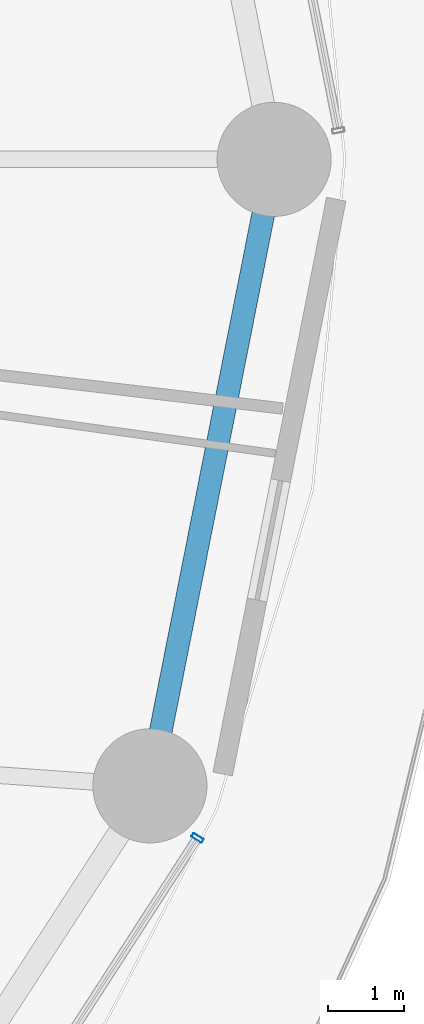
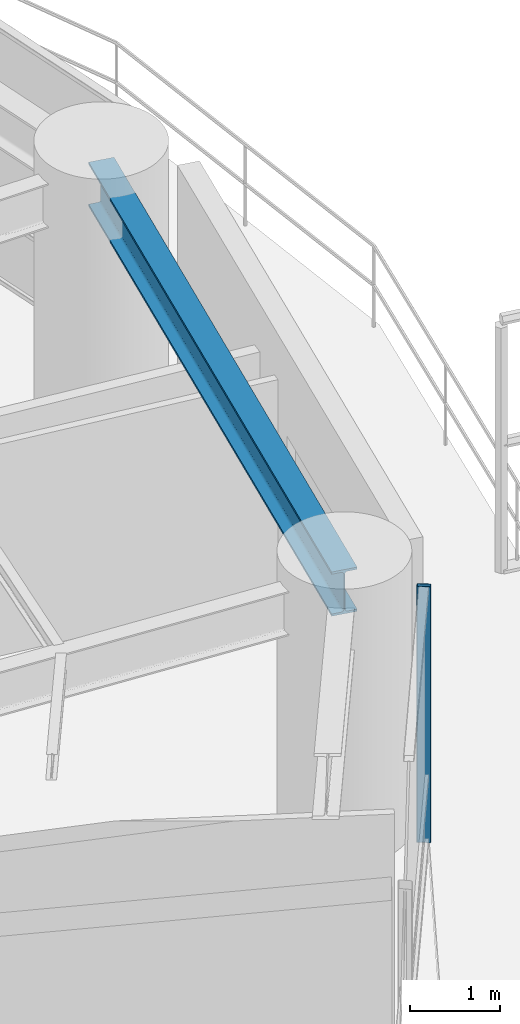
# One storey, part 12 of 33: 1 beam, 1 member, 1 element without a shape of its own.
"""IFC4 building model written with IfcOpenShell, lengths in metres."""

import ifcopenshell
import ifcopenshell.guid

model = None  # the IFC model being written
_history = None  # IfcOwnerHistory: only IFC2X3 demands one
_inside = {}  # id of a spatial element -> (the spatial element, [elements in it])
_under = {}  # id of a project, library or spatial element -> (it, [spatial elements below it])
_declared = {}  # id of a project -> (the project, [libraries it declares])
_typed = {}  # id of a type object -> (the type object, [elements of that type])
_made_of = {}  # id of a material, layer set ... -> (it, [elements and type objects made of it])


def new_model(schema):
    """Start an empty IFC model of exactly this schema.

    Asked for "IFC4X3", IfcOpenShell would pick the latest addendum, in which some entities
    have other attributes; the version numbers below select the first issue.
    IFC2X3 requires an IfcOwnerHistory on every rooted entity: one is made here for all.
    """
    global model, _history
    if schema == "IFC4X3":
        model = ifcopenshell.file(schema_version=(4, 3, 0, 0))
    else:
        model = ifcopenshell.file(schema=schema)
    _inside.clear()
    _under.clear()
    _declared.clear()
    _typed.clear()
    _made_of.clear()
    _history = None
    if model.schema == "IFC2X3":
        org = make("IfcOrganization", Name="unknown")
        user = make(
            "IfcPersonAndOrganization",
            ThePerson=make("IfcPerson", FamilyName="unknown"),
            TheOrganization=org,
        )
        app = make(
            "IfcApplication",
            ApplicationDeveloper=org,
            Version="unknown",
            ApplicationFullName="unknown",
            ApplicationIdentifier="unknown",
        )
        _history = make(
            "IfcOwnerHistory",
            OwningUser=user,
            OwningApplication=app,
            ChangeAction="ADDED",
            CreationDate=0,
        )
    return model


def make(cls, **values):
    """One entity of the class cls with the attributes given. An attribute that is None is left unset."""
    return model.create_entity(
        cls, **{name: value for name, value in values.items() if value is not None}
    )


def rooted(cls, **values):
    """An entity with a GlobalId (a new one), such as an element, a storey or a relation."""
    return make(cls, GlobalId=ifcopenshell.guid.new(), OwnerHistory=_history, **values)


def si_unit(unit_type, name, prefix=None):
    """IfcSIUnit, for example si_unit("LENGTHUNIT", "METRE", prefix="MILLI")."""
    return make("IfcSIUnit", UnitType=unit_type, Prefix=prefix, Name=name)


def assignment(units):
    """IfcUnitAssignment: the units of a project."""
    return None if units is None else make("IfcUnitAssignment", Units=units)


def point(xyz):
    """IfcCartesianPoint."""
    return None if xyz is None else make("IfcCartesianPoint", Coordinates=xyz)


def direction(xyz):
    """IfcDirection."""
    return None if xyz is None else make("IfcDirection", DirectionRatios=xyz)


def frame(location, z_axis=None, x_axis=None):
    """IfcAxis2Placement3D, a coordinate frame: its origin and axes. An axis left out is left unset."""
    return make(
        "IfcAxis2Placement3D",
        Location=point(location),
        Axis=direction(z_axis),
        RefDirection=direction(x_axis),
    )


def frame_2d(location, x_axis=None):
    """IfcAxis2Placement2D, a coordinate frame in the plane: its origin and x axis."""
    return make(
        "IfcAxis2Placement2D", Location=point(location), RefDirection=direction(x_axis)
    )


def origin():
    """The frame at (0, 0, 0) with its axes left unset."""
    return frame((0.0, 0.0, 0.0))


def origin_2d():
    """The frame at (0, 0) in the plane with its x axis left unset."""
    return frame_2d((0.0, 0.0))


def place(relative_to, where):
    """IfcLocalPlacement: puts the frame where relative to a parent placement (None: the world)."""
    return make(
        "IfcLocalPlacement", PlacementRelTo=relative_to, RelativePlacement=where
    )


def context(
    kind, dimensions, precision=None, world=None, true_north=None, identifier=None
):
    """IfcGeometricRepresentationContext, for example the 3D "Model" context."""
    return make(
        "IfcGeometricRepresentationContext",
        ContextIdentifier=identifier,
        ContextType=kind,
        CoordinateSpaceDimension=dimensions,
        Precision=precision,
        WorldCoordinateSystem=world,
        TrueNorth=true_north,
    )


def subcontext(parent, identifier, kind, view, scale=None):
    """IfcGeometricRepresentationSubContext, for example "Body" below "Model"."""
    return make(
        "IfcGeometricRepresentationSubContext",
        ContextIdentifier=identifier,
        ContextType=kind,
        ParentContext=parent,
        TargetScale=scale,
        TargetView=view,
    )


def project(units=None, contexts=None):
    """IfcProject with its units and contexts."""
    return rooted(
        "IfcProject",
        Name="project",
        RepresentationContexts=contexts,
        UnitsInContext=assignment(units),
    )


def spatial(cls, under=None, at=None, **own):
    """A site, building, storey or space (cls), placed at a placement, below another one or the project."""
    s = rooted(cls, ObjectPlacement=at, **own)
    if under is not None:
        _under.setdefault(under.id(), (under, []))[1].append(s)
    return s


def profile(cls, at=None, kind="AREA", **sizes):
    """A parametric profile (cls). Its sizes go by their IFC names, for example OverallWidth=200.0."""
    return make(cls, ProfileType=kind, Position=at, **sizes)


def hollow_rectangle(**sizes):
    """IfcRectangleHollowProfileDef."""
    return profile("IfcRectangleHollowProfileDef", **sizes)


def i_section(**sizes):
    """IfcIShapeProfileDef."""
    return profile("IfcIShapeProfileDef", **sizes)


def extrude(swept, where, along, depth):
    """IfcExtrudedAreaSolid: the profile swept, set in the frame where, extruded along a direction by depth."""
    return make(
        "IfcExtrudedAreaSolid",
        SweptArea=swept,
        Position=where,
        ExtrudedDirection=direction(along),
        Depth=depth,
    )


def shape(context_of_items, identifier, shape_type, items):
    """IfcShapeRepresentation: the items that make up one representation, for example the "Body"."""
    return make(
        "IfcShapeRepresentation",
        ContextOfItems=context_of_items,
        RepresentationIdentifier=identifier,
        RepresentationType=shape_type,
        Items=items,
    )


def material(Name=None, Category=None):
    """IfcMaterial."""
    return make("IfcMaterial", Name=Name, Category=Category)


def layer(
    of_material, thickness, ventilated=None, Name=None, Category=None, Priority=None
):
    """IfcMaterialLayer: one layer of a wall or slab, of a material (None: an air gap)."""
    return make(
        "IfcMaterialLayer",
        Material=of_material,
        LayerThickness=thickness,
        IsVentilated=ventilated,
        Name=Name,
        Category=Category,
        Priority=Priority,
    )


def layer_set(layers, Name=None):
    """IfcMaterialLayerSet."""
    return make("IfcMaterialLayerSet", MaterialLayers=layers, LayerSetName=Name)


def material_profile(
    of_material, cross_section, Name=None, Category=None, Priority=None
):
    """IfcMaterialProfile: a cross section and its material."""
    return make(
        "IfcMaterialProfile",
        Name=Name,
        Material=of_material,
        Profile=cross_section,
        Priority=Priority,
        Category=Category,
    )


def profile_set(profiles, Name=None, composite=None):
    """IfcMaterialProfileSet."""
    return make(
        "IfcMaterialProfileSet",
        Name=Name,
        MaterialProfiles=profiles,
        CompositeProfile=composite,
    )


def made_of(thing, what):
    """Note that an element or type object is made of a material, layer set ...; save() writes the relation."""
    if what is not None:
        _made_of.setdefault(what.id(), (what, []))[1].append(thing)
    return thing


def type_object(cls, material=None, **own):
    """A type object (cls), such as IfcWallType, which elements share."""
    return made_of(rooted(cls, **own), material)


def element(
    cls,
    number,
    at=None,
    inside=None,
    cuts=None,
    type_object=None,
    material=None,
    context=None,
    identifier="Body",
    shape_type=None,
    held_by="IfcProductDefinitionShape",
    body=None,
    shapes=None,
    **own,
):
    """One element of the class cls, such as IfcWall. Its Tag is "e" and its number.

    at: its placement. inside: the storey or other place that contains it. cuts: it is an
    opening in that element (IfcRelVoidsElement). A single representation is given by context,
    identifier, shape_type and body (its items); several are given by shapes. held_by: the class
    of the entity that holds the representations. save() writes the other relations.
    """
    e = rooted(cls, Tag="e%d" % number, ObjectPlacement=at, **own)
    if body is not None:
        shapes = [shape(context, identifier, shape_type, body)]
    if shapes is not None:
        e.Representation = make(held_by, Representations=shapes)
    if inside is not None:
        _inside.setdefault(inside.id(), (inside, []))[1].append(e)
    if cuts is not None:
        rooted(
            "IfcRelVoidsElement", RelatingBuildingElement=cuts, RelatedOpeningElement=e
        )
    if type_object is not None:
        _typed.setdefault(type_object.id(), (type_object, []))[1].append(e)
    return made_of(e, material)


def aggregate(whole, parts):
    """IfcRelAggregates: a whole, such as a stair, and the parts it consists of."""
    return rooted("IfcRelAggregates", RelatingObject=whole, RelatedObjects=parts)


def save(model, path):
    """Write the relations noted so far, then the file.

    IfcRelAggregates (storeys below a building ...), IfcRelContainedInSpatialStructure (elements
    in a storey), IfcRelDefinesByType, IfcRelAssociatesMaterial and IfcRelDeclares: one each for
    every whole, place, type object, material and project.
    """
    for whole, parts in _under.values():
        aggregate(whole, parts)
    for where, things in _inside.values():
        rooted(
            "IfcRelContainedInSpatialStructure",
            RelatedElements=things,
            RelatingStructure=where,
        )
    for kind, things in _typed.values():
        rooted("IfcRelDefinesByType", RelatedObjects=things, RelatingType=kind)
    for what, things in _made_of.values():
        rooted("IfcRelAssociatesMaterial", RelatedObjects=things, RelatingMaterial=what)
    for by, libraries in _declared.values():
        rooted("IfcRelDeclares", RelatingContext=by, RelatedDefinitions=libraries)
    model.write(path)


model = new_model("IFC4")

# Units and contexts
model_context = context("Model", 3, precision=1e-05, world=origin(), true_north=direction((0.0, 1.0)))
body_context = subcontext(model_context, "Body", "Model", "MODEL_VIEW")
ifc_project = project(units=[si_unit("LENGTHUNIT", "METRE"), si_unit("AREAUNIT", "SQUARE_METRE"), si_unit("VOLUMEUNIT", "CUBIC_METRE"), si_unit("PLANEANGLEUNIT", "RADIAN"), si_unit("MASSUNIT", "GRAM", prefix="KILO")], contexts=[model_context])

# Site, building, storey
site_placement = place(None, origin())
site = spatial("IfcSite", under=ifc_project, at=site_placement, CompositionType="ELEMENT")
building_placement = place(site_placement, origin())
building = spatial("IfcBuilding", under=site, at=building_placement, Name="Kelanora Arch Commons", CompositionType="ELEMENT")
storey_placement = place(building_placement, frame((0.0, 0.0, 37.5)))
storey = spatial("IfcBuildingStorey", under=building, at=storey_placement, Name="L09", CompositionType="ELEMENT", Elevation=37.5)

# Beam
ifc_material_1 = material(Name="Steel S355", Category="steel")
ifc_material_profile_1 = material_profile(ifc_material_1, i_section(OverallWidth=0.300048828125, OverallDepth=0.60009765625, WebThickness=0.015380859375, FlangeThickness=0.030029296875, FilletRadius=0.027099609375, at=origin_2d()), Name="HEB600")
ifc_profile_set_1 = profile_set([ifc_material_profile_1], Name="Steel S355")
beam_type = type_object("IfcBeamType", Name="BM-SPN-Z1", PredefinedType="SPANDREL", material=ifc_profile_set_1)
beam_placement = place(storey_placement, frame((99.447021484375, 49.76416015625, 3.18994140625), z_axis=(0.194499827256, 0.980902552345, 0.0), x_axis=(-0.980902552345, 0.194499827256, 0.0)))
element("IfcBeam", 1, at=beam_placement, inside=storey, type_object=beam_type, Name="Perimeter Spandrel Beam BS-34 L09", PredefinedType="SPANDREL", context=body_context, shape_type="SweptSolid", body=[
    extrude(i_section(OverallWidth=0.300048828125, OverallDepth=0.60009765625, WebThickness=0.015380859375, FlangeThickness=0.030029296875, FilletRadius=0.027099609375, at=origin_2d()), origin(), (0.0, 0.0, 1.0), 8.396240234375),
])

# Curtain wall, member
ifc_material_2 = material(Name="Terracotta ceramic-fritted low-E glass and aluminium", Category="masonry")
ifc_layer = layer(ifc_material_2, 0.159912109375)
ifc_layer_set = layer_set([ifc_layer], Name="Terracotta ceramic-fritted low-E glass and aluminium")
curtain_wall_type = type_object("IfcCurtainWallType", Name="CW-SYS-01", PredefinedType="NOTDEFINED", material=ifc_layer_set)
curtain_wall_placement = place(storey_placement, origin())
curtain_wall = element("IfcCurtainWall", 2, at=curtain_wall_placement, inside=storey, type_object=curtain_wall_type, Name="Unitised Curtain Wall L09-B16", PredefinedType="NOTDEFINED")
ifc_material_3 = material(Name="Powder-coated aluminium terracotta", Category="masonry")
ifc_material_profile_2 = material_profile(ifc_material_3, hollow_rectangle(XDim=0.159912109375, YDim=0.06005859375, WallThickness=0.0048828125, InnerFilletRadius=0.0048828125, OuterFilletRadius=0.010009765625, at=origin_2d()), Name="CWM160x60")
ifc_profile_set_2 = profile_set([ifc_material_profile_2], Name="Powder-coated aluminium terracotta")
member_type = type_object("IfcMemberType", Name="CWM-STD", PredefinedType="MULLION", material=ifc_profile_set_2)
member_placement = place(storey_placement, frame((100.072265625, 49.07958984375, 0.0), z_axis=(0.0, 0.0, 1.0), x_axis=(-0.83972982332, 0.543004441812, 0.0)))
member = element("IfcMember", 3, at=member_placement, type_object=member_type, Name="CW-01 mullion 3", PredefinedType="MULLION", context=body_context, shape_type="SweptSolid", body=[
    extrude(hollow_rectangle(XDim=0.159912109375, YDim=0.06005859375, WallThickness=0.0048828125, InnerFilletRadius=0.0048828125, OuterFilletRadius=0.010009765625, at=origin_2d()), origin(), (0.0, 0.0, 1.0), 3.47509765625),
])
aggregate(curtain_wall, [member])

save(model, "model.ifc")
